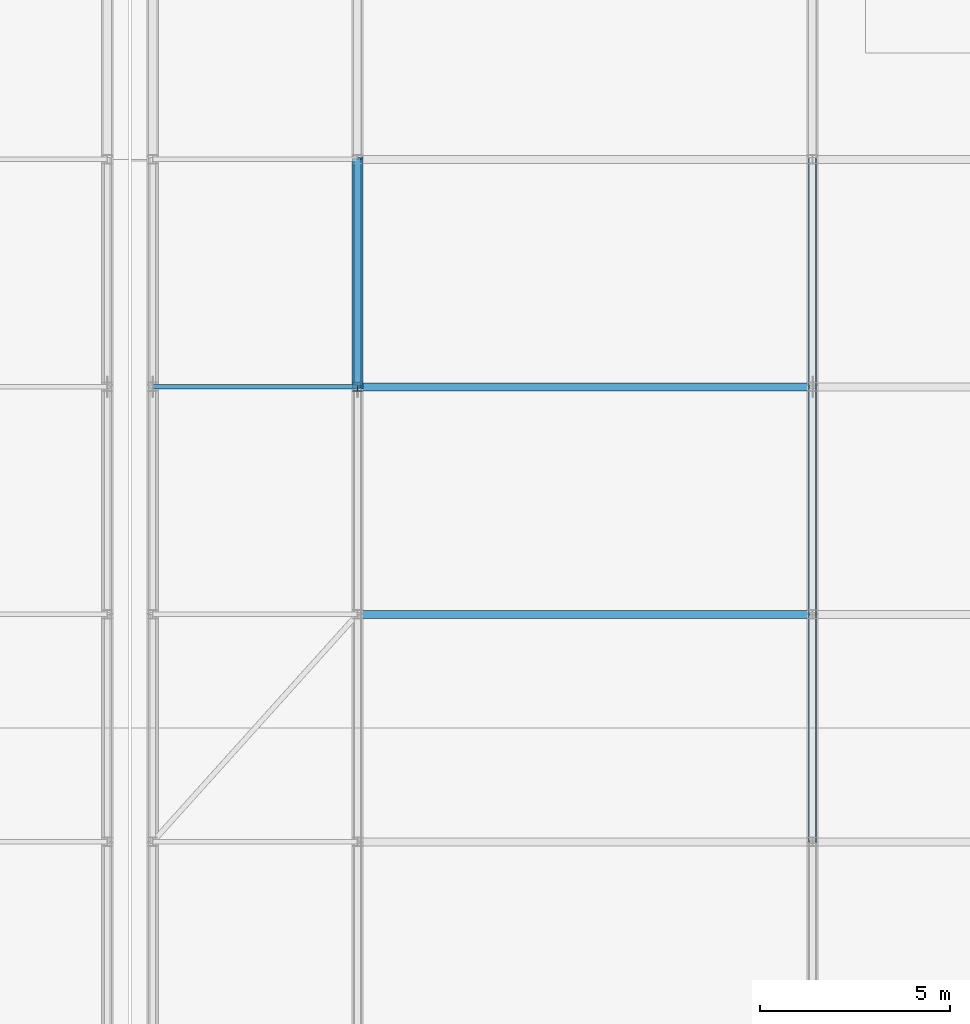
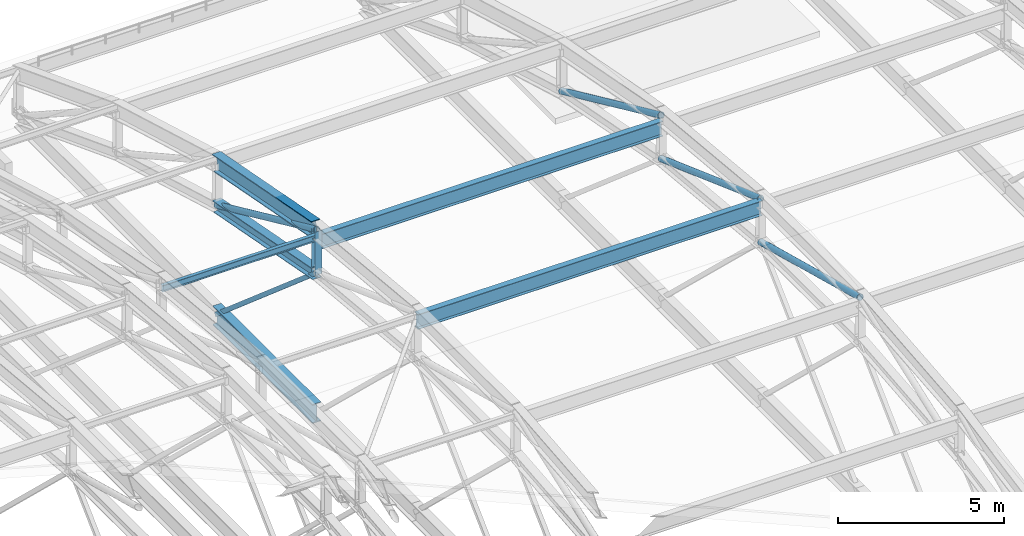
# One storey, part 128 of 204: 12 members.
"""IFC4 building model written with IfcOpenShell, lengths in metres."""

from ifc_helpers import new_model, si_unit, direction, frame, origin, origin_2d, place, context, subcontext, project, spatial, hollow_rectangle, hollow_circle, i_section, extrude, material, material_profile, profile_set, type_object, element, save


model = new_model("IFC4")

# Units and contexts
model_context = context("Model", 3, precision=1e-05, world=origin(), true_north=direction((0.0, 1.0)))
body_context = subcontext(model_context, "Body", "Model", "MODEL_VIEW")
ifc_project = project(units=[si_unit("LENGTHUNIT", "METRE"), si_unit("AREAUNIT", "SQUARE_METRE"), si_unit("VOLUMEUNIT", "CUBIC_METRE"), si_unit("PLANEANGLEUNIT", "RADIAN"), si_unit("MASSUNIT", "GRAM", prefix="KILO")], contexts=[model_context])

# Site, building, storey
site_placement = place(None, origin())
site = spatial("IfcSite", under=ifc_project, at=site_placement, CompositionType="ELEMENT")
building_placement = place(site_placement, origin())
building = spatial("IfcBuilding", under=site, at=building_placement, Name="Zilviju Railside Exhibition Hall", CompositionType="ELEMENT")
storey_placement = place(building_placement, frame((0.0, 0.0, 21.0)))
storey = spatial("IfcBuildingStorey", under=building, at=storey_placement, Name="RF", CompositionType="ELEMENT", Elevation=21.0)

# Members
ifc_material = material(Name="Steel S355J2", Category="steel")
ifc_material_profile_1 = material_profile(ifc_material, hollow_circle(Radius=0.109619140625, WallThickness=0.010009765625, at=origin_2d()), Name="CHS 219.1x10.0")
ifc_profile_set_1 = profile_set([ifc_material_profile_1], Name="Steel S355J2")
member_type_1 = type_object("IfcMemberType", Name="TR-BR-CHS219", PredefinedType="BRACE", material=ifc_profile_set_1)
member_1_placement = place(storey_placement, frame((180.0, 120.0, 3.155517578125), z_axis=(0.0, 0.909316915895, -0.416104249518), x_axis=(-1.0, 0.0, 0.0)))
element("IfcMember", 1, at=member_1_placement, inside=storey, type_object=member_type_1, Name="V2 Parabolic Arch Web Diagonal X=180.0 P7", PredefinedType="BRACE", context=body_context, shape_type="SweptSolid", body=[
    extrude(hollow_circle(Radius=0.109619140625, WallThickness=0.010009765625, at=origin_2d()), origin(), (0.0, 0.0, 1.0), 6.598388671875),
])
member_2_placement = place(storey_placement, frame((192.0, 108.0, 3.728515625), z_axis=(0.0, 0.966231024199, -0.25767733287), x_axis=(-1.0, 0.0, 0.0)))
element("IfcMember", 2, at=member_2_placement, inside=storey, type_object=member_type_1, Name="V2 Parabolic Arch Web Diagonal X=192.0 P5", PredefinedType="BRACE", context=body_context, shape_type="SweptSolid", body=[
    extrude(hollow_circle(Radius=0.109619140625, WallThickness=0.010009765625, at=origin_2d()), origin(), (0.0, 0.0, 1.0), 6.209716796875),
])
member_3_placement = place(storey_placement, frame((192.0, 114.0, 3.728515625), z_axis=(0.0, 0.940243888255, -0.340501733621), x_axis=(-1.0, 0.0, 0.0)))
element("IfcMember", 3, at=member_3_placement, inside=storey, type_object=member_type_1, Name="V2 Parabolic Arch Web Diagonal X=192.0 P6", PredefinedType="BRACE", context=body_context, shape_type="SweptSolid", body=[
    extrude(hollow_circle(Radius=0.109619140625, WallThickness=0.010009765625, at=origin_2d()), origin(), (0.0, 0.0, 1.0), 6.38134765625),
])
member_4_placement = place(storey_placement, frame((192.0, 120.0, 3.155517578125), z_axis=(0.0, 0.909316915895, -0.416104249518), x_axis=(-1.0, 0.0, 0.0)))
element("IfcMember", 4, at=member_4_placement, inside=storey, type_object=member_type_1, Name="V2 Parabolic Arch Web Diagonal X=192.0 P7", PredefinedType="BRACE", context=body_context, shape_type="SweptSolid", body=[
    extrude(hollow_circle(Radius=0.109619140625, WallThickness=0.010009765625, at=origin_2d()), origin(), (0.0, 0.0, 1.0), 6.598388671875),
])
ifc_material_profile_2 = material_profile(ifc_material, i_section(OverallWidth=0.300048828125, OverallDepth=0.39990234375, WebThickness=0.013427734375, FlangeThickness=0.02392578125, at=origin_2d()), Name="HEB 400")
ifc_profile_set_2 = profile_set([ifc_material_profile_2], Name="Steel S355J2")
member_type_2 = type_object("IfcMemberType", Name="TR-CH-HEB400", PredefinedType="CHORD", material=ifc_profile_set_2)
member_5_placement = place(storey_placement, frame((180.0, 120.0, 1.5556640625), z_axis=(0.0, 0.98225135267, -0.187569400964), x_axis=(-1.0, 0.0, 0.0)))
element("IfcMember", 5, at=member_5_placement, inside=storey, type_object=member_type_2, Name="V2 Parabolic Arch Bottom Chord X=180.0 P7", PredefinedType="CHORD", context=body_context, shape_type="SweptSolid", body=[
    extrude(i_section(OverallWidth=0.300048828125, OverallDepth=0.39990234375, WebThickness=0.013427734375, FlangeThickness=0.02392578125, at=origin_2d()), origin(), (0.0, 0.0, 1.0), 6.1083984375),
])
ifc_material_profile_3 = material_profile(ifc_material, i_section(OverallWidth=0.300048828125, OverallDepth=0.60009765625, WebThickness=0.015380859375, FlangeThickness=0.030029296875, at=origin_2d()), Name="HEB 600")
ifc_profile_set_3 = profile_set([ifc_material_profile_3], Name="Steel S355J2")
member_type_3 = type_object("IfcMemberType", Name="TR-CH-HEB600", PredefinedType="CHORD", material=ifc_profile_set_3)
member_6_placement = place(storey_placement, frame((180.0, 120.0, 3.155517578125), z_axis=(0.0, 0.98225135267, -0.187569400964), x_axis=(-1.0, 0.0, 0.0)))
element("IfcMember", 6, at=member_6_placement, inside=storey, type_object=member_type_3, Name="V2 Parabolic Arch Top Chord X=180.0 P7", PredefinedType="CHORD", context=body_context, shape_type="SweptSolid", body=[
    extrude(i_section(OverallWidth=0.300048828125, OverallDepth=0.60009765625, WebThickness=0.015380859375, FlangeThickness=0.030029296875, at=origin_2d()), origin(), (0.0, 0.0, 1.0), 6.1083984375),
])
ifc_material_profile_4 = material_profile(ifc_material, i_section(OverallWidth=0.239990234375, OverallDepth=0.22998046875, WebThickness=0.007568359375, FlangeThickness=0.011962890625, at=origin_2d()), Name="HEA 240")
ifc_profile_set_4 = profile_set([ifc_material_profile_4], Name="Steel S355J2")
member_type_4 = type_object("IfcMemberType", Name="TR-POST-HEA240", PredefinedType="POST", material=ifc_profile_set_4)
member_7_placement = place(storey_placement, frame((180.0, 120.0, 1.5556640625), z_axis=(0.0, 0.0, 1.0), x_axis=(1.0, 0.0, 0.0)))
element("IfcMember", 7, at=member_7_placement, inside=storey, type_object=member_type_4, Name="V2 Parabolic Arch Web Post X=180.0 N6", PredefinedType="POST", context=body_context, shape_type="SweptSolid", body=[
    extrude(i_section(OverallWidth=0.239990234375, OverallDepth=0.22998046875, WebThickness=0.007568359375, FlangeThickness=0.011962890625, at=origin_2d()), origin(), (0.0, 0.0, 1.0), 1.599853515625),
])
ifc_material_profile_5 = material_profile(ifc_material, hollow_rectangle(XDim=0.14990234375, YDim=0.14990234375, WallThickness=0.008056640625, at=origin_2d()), Name="SHS 150x150x8.0")
ifc_profile_set_5 = profile_set([ifc_material_profile_5], Name="Steel S355J2")
member_type_5 = type_object("IfcMemberType", Name="TR-POST-SHS150", PredefinedType="POST", material=ifc_profile_set_5)
member_8_placement = place(storey_placement, frame((180.0, 126.0, -3.60009765625), z_axis=(0.0, -0.758449992634, 0.651731239602), x_axis=(1.0, 0.0, 0.0)))
element("IfcMember", 8, at=member_8_placement, inside=storey, type_object=member_type_5, Name="V2 Arch Tie Hanger X=180.0 N7", PredefinedType="POST", context=body_context, shape_type="SweptSolid", body=[
    extrude(hollow_rectangle(XDim=0.14990234375, YDim=0.14990234375, WallThickness=0.008056640625, at=origin_2d()), origin(), (0.0, 0.0, 1.0), 7.910888671875),
])
ifc_material_profile_6 = material_profile(ifc_material, i_section(OverallWidth=0.1201171875, OverallDepth=0.239990234375, WebThickness=0.006103515625, FlangeThickness=0.009765625, at=origin_2d()), Name="IPE 240")
ifc_profile_set_6 = profile_set([ifc_material_profile_6], Name="Steel S355J2")
member_type_6 = type_object("IfcMemberType", Name="TR-PUR-IPE240", PredefinedType="PURLIN", material=ifc_profile_set_6)
member_9_placement = place(storey_placement, frame((174.60009765625, 120.0, 2.877197265625), z_axis=(1.0, 0.0, 0.0), x_axis=(0.0, 1.0, 0.0)))
element("IfcMember", 9, at=member_9_placement, inside=storey, type_object=member_type_6, Name="V2 Barrel Vault Roof Purlin Y=120.0 (174.6..180.0)", PredefinedType="PURLIN", context=body_context, shape_type="SweptSolid", body=[
    extrude(i_section(OverallWidth=0.1201171875, OverallDepth=0.239990234375, WebThickness=0.006103515625, FlangeThickness=0.009765625, at=origin_2d()), origin(), (0.0, 0.0, 1.0), 5.39990234375),
])
ifc_material_profile_7 = material_profile(ifc_material, i_section(OverallWidth=0.2099609375, OverallDepth=0.550048828125, WebThickness=0.010986328125, FlangeThickness=0.01708984375, at=origin_2d()), Name="IPE 550")
ifc_profile_set_7 = profile_set([ifc_material_profile_7], Name="Steel S355J2")
member_type_7 = type_object("IfcMemberType", Name="TR-PUR-IPE550", PredefinedType="PURLIN", material=ifc_profile_set_7)
for number, where, z_axis, x_axis, name in (
    (10, (180.0, 114.0, 3.4326171875), (1.0, 0.0, 0.0), (0.0, 1.0, 0.0), "V2 Barrel Vault Roof Purlin Y=114.0 (180.0..192.0)"),
    (11, (180.0, 120.0, 2.716796875), (1.0, 0.0, 0.0), (0.0, 1.0, 0.0), "V2 Barrel Vault Roof Purlin Y=120.0 (180.0..192.0)"),
):
    element("IfcMember", number, at=place(storey_placement, frame(where, z_axis=z_axis, x_axis=x_axis)), inside=storey, type_object=member_type_7, Name=name, PredefinedType="PURLIN", context=body_context, shape_type="SweptSolid", body=[
        extrude(i_section(OverallWidth=0.2099609375, OverallDepth=0.550048828125, WebThickness=0.010986328125, FlangeThickness=0.01708984375, at=origin_2d()), origin(), (0.0, 0.0, 1.0), 12.0),
    ])
ifc_material_profile_8 = material_profile(ifc_material, i_section(OverallWidth=0.300048828125, OverallDepth=0.699951171875, WebThickness=0.01708984375, FlangeThickness=0.031982421875, at=origin_2d()), Name="HEB 700")
ifc_profile_set_8 = profile_set([ifc_material_profile_8], Name="Steel S355J2")
member_type_8 = type_object("IfcMemberType", Name="TR-TIE-HEB700", PredefinedType="CHORD", material=ifc_profile_set_8)
member_10_placement = place(storey_placement, frame((180.0, 120.0, -3.60009765625), z_axis=(0.0, 1.0, 0.0), x_axis=(-1.0, 0.0, 0.0)))
element("IfcMember", 12, at=member_10_placement, inside=storey, type_object=member_type_8, Name="V2 Arch Tie Member X=180.0", PredefinedType="CHORD", context=body_context, shape_type="SweptSolid", body=[
    extrude(i_section(OverallWidth=0.300048828125, OverallDepth=0.699951171875, WebThickness=0.01708984375, FlangeThickness=0.031982421875, at=origin_2d()), origin(), (0.0, 0.0, 1.0), 6.0),
])

save(model, "model.ifc")
